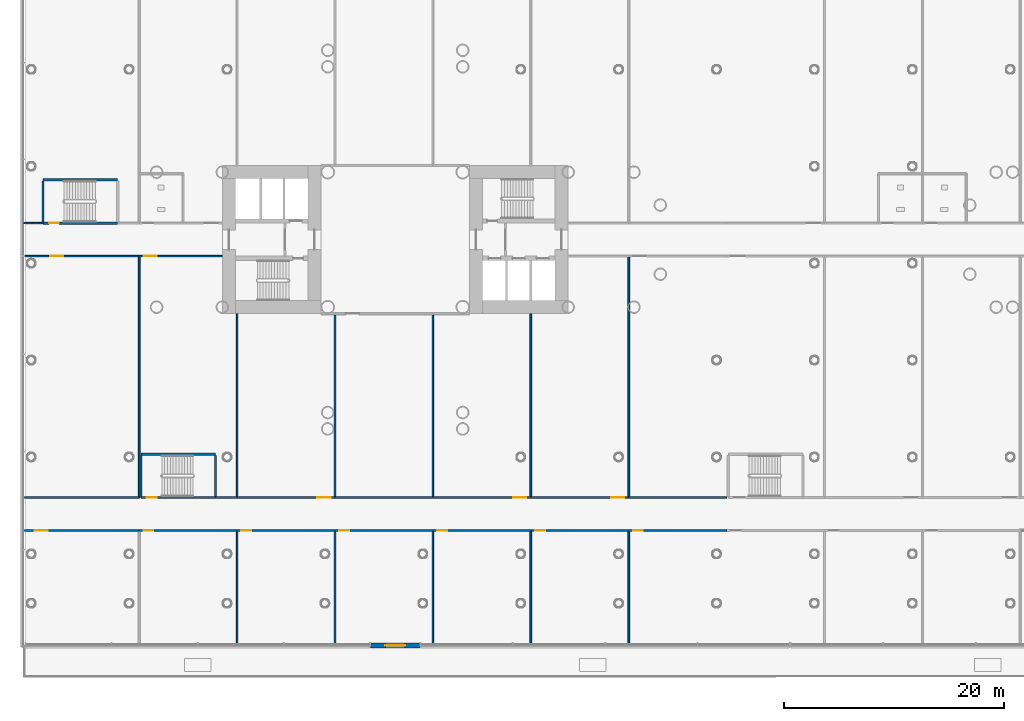
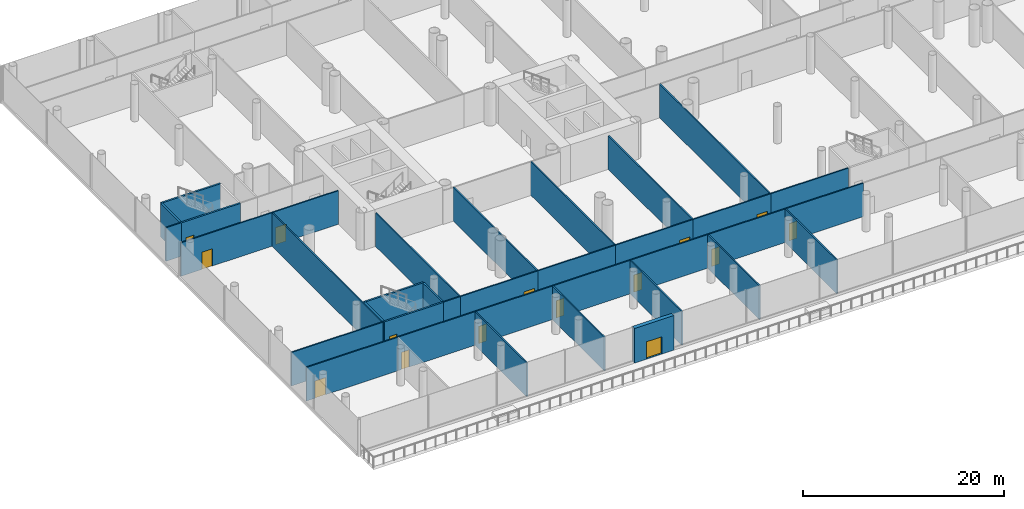
# One storey, part 17 of 49: 36 walls, 15 doors, 15 openings.
"""IFC4 building model written with IfcOpenShell, lengths in metres."""

from ifc_helpers import new_model, si_unit, direction, frame, frame_2d, origin, place, context, subcontext, project, spatial, rectangle, extrude, material, layer, layer_set, type_object, element, fill, save


model = new_model("IFC4")

# Units and contexts
model_context = context("Model", 3, precision=1e-05, world=origin(), true_north=direction((0.0, 1.0)))
body_context = subcontext(model_context, "Body", "Model", "MODEL_VIEW")
ifc_project = project(units=[si_unit("LENGTHUNIT", "METRE"), si_unit("AREAUNIT", "SQUARE_METRE"), si_unit("VOLUMEUNIT", "CUBIC_METRE"), si_unit("PLANEANGLEUNIT", "RADIAN"), si_unit("MASSUNIT", "GRAM", prefix="KILO")], contexts=[model_context])

# Site, building, storey
site_placement = place(None, origin())
site = spatial("IfcSite", under=ifc_project, at=site_placement, CompositionType="ELEMENT")
building_placement = place(site_placement, origin())
building = spatial("IfcBuilding", under=site, at=building_placement, Name="Ipe Terrace Towers", CompositionType="ELEMENT")
storey_placement = place(building_placement, frame((0.0, 0.0, 11.0)))
storey = spatial("IfcBuildingStorey", under=building, at=storey_placement, Name="L02", CompositionType="ELEMENT", Elevation=11.0)

# Wall, opening, door
ifc_material_1 = material(Name="Gypsum board partition", Category="plasterboard")
ifc_layer_1 = layer(ifc_material_1, 0.14990234375)
ifc_layer_set_1 = layer_set([ifc_layer_1], Name="Gypsum board partition 150 mm")
wall_type_1 = type_object("IfcWallType", Name="Gypsum board partition 150 mm", PredefinedType="PARTITIONING", material=ifc_layer_set_1)
wall_1_placement = place(storey_placement, frame((-69.85009765625, -26.5, 0.0), z_axis=(0.0, 0.0, 1.0), x_axis=(1.0, 0.0, 0.0)))
wall_1 = element("IfcWall", 1, at=wall_1_placement, inside=storey, type_object=wall_type_1, Name="Gypsum board partition T1 L02 pd-r0-w0", PredefinedType="PARTITIONING", context=body_context, shape_type="SweptSolid", body=[
    extrude(rectangle(XDim=10.52001953125, YDim=0.14990234375, at=frame_2d((5.260009765625, 0.0))), origin(), (0.0, 0.0, 1.0), 4.080078125),
])
opening_1_placement = place(wall_1_placement, frame((1.0, 0.0, 0.0)))
opening_1 = element("IfcOpeningElement", 2, at=opening_1_placement, cuts=wall_1, Name="Opening PD-L02-r0", PredefinedType="OPENING", context=body_context, shape_type="SweptSolid", body=[
    extrude(rectangle(XDim=1.199951171875, YDim=2.10009765625, at=frame_2d((0.60009765625, 1.050048828125))), frame((0.0, 0.0849609375, 0.0), z_axis=(0.0, -1.0, 0.0), x_axis=(1.0, 0.0, 0.0)), (0.0, 0.0, 1.0), 0.169921875),
])
ifc_material_2 = material(Name="Fire-rated timber door leaf", Category="wood")
door_type_1 = type_object("IfcDoorType", Name="Lounge door 1200 x 2100 FD30S", OperationType="NOTDEFINED", PredefinedType="DOOR", material=ifc_material_2)
door_1_placement = place(opening_1_placement, origin())
door_1 = element("IfcDoor", 3, at=door_1_placement, inside=storey, type_object=door_type_1, Name="Lounge door PD-L02-r0", OperationType="SINGLE_SWING_RIGHT", OverallHeight=2.10009765625, OverallWidth=1.199951171875, PredefinedType="DOOR", context=body_context, shape_type="SweptSolid", body=[
    extrude(rectangle(XDim=1.199951171875, YDim=2.10009765625, at=frame_2d((0.60009765625, 1.050048828125))), frame((0.0, 0.02490234375, 0.0), z_axis=(0.0, -1.0, 0.0), x_axis=(1.0, 0.0, 0.0)), (0.0, 0.0, 1.0), 0.050048828125),
])
fill(opening_1, door_1)

wall_2_placement = place(storey_placement, frame((-69.85009765625, -1.5, 0.0), z_axis=(0.0, 0.0, 1.0), x_axis=(1.0, 0.0, 0.0)))
wall_2 = element("IfcWall", 4, at=wall_2_placement, inside=storey, type_object=wall_type_1, Name="Gypsum board partition T1 L02 pd-r1-w2", PredefinedType="PARTITIONING", context=body_context, shape_type="SweptSolid", body=[
    extrude(rectangle(XDim=10.52001953125, YDim=0.14990234375, at=frame_2d((5.260009765625, 0.0))), origin(), (0.0, 0.0, 1.0), 4.080078125),
])
opening_2_placement = place(wall_2_placement, frame((2.39990234375, 0.0, 0.0)))
opening_2 = element("IfcOpeningElement", 5, at=opening_2_placement, cuts=wall_2, Name="Opening PD-L02-r1", PredefinedType="OPENING", context=body_context, shape_type="SweptSolid", body=[
    extrude(rectangle(XDim=1.199951171875, YDim=2.10009765625, at=frame_2d((0.60009765625, 1.050048828125))), frame((0.0, 0.0849609375, 0.0), z_axis=(0.0, -1.0, 0.0), x_axis=(1.0, 0.0, 0.0)), (0.0, 0.0, 1.0), 0.169921875),
])
door_2_placement = place(opening_2_placement, origin())
door_2 = element("IfcDoor", 6, at=door_2_placement, inside=storey, type_object=door_type_1, Name="Lounge door PD-L02-r1", OperationType="SINGLE_SWING_RIGHT", OverallHeight=2.10009765625, OverallWidth=1.199951171875, PredefinedType="DOOR", context=body_context, shape_type="SweptSolid", body=[
    extrude(rectangle(XDim=1.199951171875, YDim=2.10009765625, at=frame_2d((0.60009765625, 1.050048828125))), frame((0.0, 0.02490234375, 0.0), z_axis=(0.0, -1.0, 0.0), x_axis=(1.0, 0.0, 0.0)), (0.0, 0.0, 1.0), 0.050048828125),
])
fill(opening_2, door_2)

# Walls
wall_3_placement = place(storey_placement, frame((-59.330078125, -23.5, 0.0), z_axis=(0.0, 0.0, 1.0), x_axis=(-1.0, 0.0, 0.0)))
element("IfcWall", 7, at=wall_3_placement, inside=storey, type_object=wall_type_1, Name="Gypsum board partition T1 L02 pd-r1-w3", PredefinedType="PARTITIONING", context=body_context, shape_type="SweptSolid", body=[
    extrude(rectangle(XDim=10.52001953125, YDim=0.14990234375, at=frame_2d((5.260009765625, 0.0))), origin(), (0.0, 0.0, 1.0), 4.080078125),
])
wall_4_placement = place(storey_placement, frame((-59.330078125, -1.5, 0.0), z_axis=(0.0, 0.0, 1.0), x_axis=(0.0, -1.0, 0.0)))
element("IfcWall", 8, at=wall_4_placement, inside=storey, type_object=wall_type_1, Name="Gypsum board partition T1 L02 pd-r1-r5-w4", PredefinedType="PARTITIONING", context=body_context, shape_type="SweptSolid", body=[
    extrude(rectangle(XDim=22.0, YDim=0.14990234375, at=frame_2d((11.0, 0.0))), origin(), (0.0, 0.0, 1.0), 4.080078125),
])
wall_5_placement = place(storey_placement, frame((-68.090087890625, 1.5, 0.0), z_axis=(0.0, 0.0, 1.0), x_axis=(-1.0, 0.0, 0.0)))
element("IfcWall", 9, at=wall_5_placement, inside=storey, type_object=wall_type_1, Name="Gypsum board partition T1 L02 pd-r2-w6", PredefinedType="PARTITIONING", context=body_context, shape_type="SweptSolid", body=[
    extrude(rectangle(XDim=1.760009765625, YDim=0.14990234375, at=frame_2d((0.8798828125, 0.0))), origin(), (0.0, 0.0, 1.0), 4.080078125),
])

# Wall, opening, door
wall_6_placement = place(storey_placement, frame((-59.330078125, -26.5, 0.0), z_axis=(0.0, 0.0, 1.0), x_axis=(1.0, 0.0, 0.0)))
wall_6 = element("IfcWall", 10, at=wall_6_placement, inside=storey, type_object=wall_type_1, Name="Gypsum board partition T1 L02 pd-r4-w11", PredefinedType="PARTITIONING", context=body_context, shape_type="SweptSolid", body=[
    extrude(rectangle(XDim=8.920166015625, YDim=0.14990234375, at=frame_2d((4.4599609375, 0.0))), origin(), (0.0, 0.0, 1.0), 4.080078125),
])
opening_3_placement = place(wall_6_placement, frame((0.39990234375, 0.0, 0.0)))
opening_3 = element("IfcOpeningElement", 11, at=opening_3_placement, cuts=wall_6, Name="Opening PD-L02-r4", PredefinedType="OPENING", context=body_context, shape_type="SweptSolid", body=[
    extrude(rectangle(XDim=0.89990234375, YDim=2.10009765625, at=frame_2d((0.449951171875, 1.050048828125))), frame((0.0, 0.0849609375, 0.0), z_axis=(0.0, -1.0, 0.0), x_axis=(1.0, 0.0, 0.0)), (0.0, 0.0, 1.0), 0.169921875),
])
ifc_material_3 = material(Name="Fire-rated timber door leaf", Category="wood")
door_type_2 = type_object("IfcDoorType", Name="Lounge door 900 x 2100 FD30S", OperationType="NOTDEFINED", PredefinedType="DOOR", material=ifc_material_3)
door_3_placement = place(opening_3_placement, origin())
door_3 = element("IfcDoor", 12, at=door_3_placement, inside=storey, type_object=door_type_2, Name="Lounge door PD-L02-r4", OperationType="SINGLE_SWING_RIGHT", OverallHeight=2.10009765625, OverallWidth=0.89990234375, PredefinedType="DOOR", context=body_context, shape_type="SweptSolid", body=[
    extrude(rectangle(XDim=0.89990234375, YDim=2.10009765625, at=frame_2d((0.449951171875, 1.050048828125))), frame((0.0, 0.02490234375, 0.0), z_axis=(0.0, -1.0, 0.0), x_axis=(1.0, 0.0, 0.0)), (0.0, 0.0, 1.0), 0.050048828125),
])
fill(opening_3, door_3)

# Wall
wall_7_placement = place(storey_placement, frame((-50.409912109375, -26.5, 0.0), z_axis=(0.0, 0.0, 1.0), x_axis=(0.0, -1.0, 0.0)))
element("IfcWall", 13, at=wall_7_placement, inside=storey, type_object=wall_type_1, Name="Gypsum board partition T1 L02 pd-r4-r8-w12", PredefinedType="PARTITIONING", context=body_context, shape_type="SweptSolid", body=[
    extrude(rectangle(XDim=10.35009765625, YDim=0.14990234375, at=frame_2d((5.175048828125, 0.0))), origin(), (0.0, 0.0, 1.0), 4.080078125),
])

# Wall, opening, door
wall_8_placement = place(storey_placement, frame((-59.330078125, -1.5, 0.0), z_axis=(0.0, 0.0, 1.0), x_axis=(1.0, 0.0, 0.0)))
wall_8 = element("IfcWall", 14, at=wall_8_placement, inside=storey, type_object=wall_type_1, Name="Gypsum board partition T1 L02 pd-r5-w13", PredefinedType="PARTITIONING", context=body_context, shape_type="SweptSolid", body=[
    extrude(rectangle(XDim=7.580078125, YDim=0.14990234375, at=frame_2d((3.7900390625, 0.0))), origin(), (0.0, 0.0, 1.0), 4.080078125),
])
opening_4_placement = place(wall_8_placement, frame((0.39990234375, 0.0, 0.0)))
opening_4 = element("IfcOpeningElement", 15, at=opening_4_placement, cuts=wall_8, Name="Opening PD-L02-r5", PredefinedType="OPENING", context=body_context, shape_type="SweptSolid", body=[
    extrude(rectangle(XDim=1.199951171875, YDim=2.10009765625, at=frame_2d((0.60009765625, 1.050048828125))), frame((0.0, 0.0849609375, 0.0), z_axis=(0.0, -1.0, 0.0), x_axis=(1.0, 0.0, 0.0)), (0.0, 0.0, 1.0), 0.169921875),
])
door_4_placement = place(opening_4_placement, origin())
door_4 = element("IfcDoor", 16, at=door_4_placement, inside=storey, type_object=door_type_1, Name="Lounge door PD-L02-r5", OperationType="SINGLE_SWING_RIGHT", OverallHeight=2.10009765625, OverallWidth=1.199951171875, PredefinedType="DOOR", context=body_context, shape_type="SweptSolid", body=[
    extrude(rectangle(XDim=1.199951171875, YDim=2.10009765625, at=frame_2d((0.60009765625, 1.050048828125))), frame((0.0, 0.02490234375, 0.0), z_axis=(0.0, -1.0, 0.0), x_axis=(1.0, 0.0, 0.0)), (0.0, 0.0, 1.0), 0.050048828125),
])
fill(opening_4, door_4)

# Walls
wall_9_placement = place(storey_placement, frame((-50.409912109375, -23.5, 0.0), z_axis=(0.0, 0.0, 1.0), x_axis=(-1.0, 0.0, 0.0)))
element("IfcWall", 17, at=wall_9_placement, inside=storey, type_object=wall_type_1, Name="Gypsum board partition T1 L02 pd-r5-w14", PredefinedType="PARTITIONING", context=body_context, shape_type="SweptSolid", body=[
    extrude(rectangle(XDim=1.960205078125, YDim=0.14990234375, at=frame_2d((0.97998046875, 0.0))), origin(), (0.0, 0.0, 1.0), 4.080078125),
])
wall_10_placement = place(storey_placement, frame((-50.409912109375, -6.75, 0.0), z_axis=(0.0, 0.0, 1.0), x_axis=(0.0, -1.0, 0.0)))
element("IfcWall", 18, at=wall_10_placement, inside=storey, type_object=wall_type_1, Name="Gypsum board partition T1 L02 pd-r5-r9-w15", PredefinedType="PARTITIONING", context=body_context, shape_type="SweptSolid", body=[
    extrude(rectangle(XDim=16.75, YDim=0.14990234375, at=frame_2d((8.375, 0.0))), origin(), (0.0, 0.0, 1.0), 4.080078125),
])

# Wall, opening, door
wall_11_placement = place(storey_placement, frame((-50.409912109375, -26.5, 0.0), z_axis=(0.0, 0.0, 1.0), x_axis=(1.0, 0.0, 0.0)))
wall_11 = element("IfcWall", 19, at=wall_11_placement, inside=storey, type_object=wall_type_1, Name="Gypsum board partition T1 L02 pd-r8-w19", PredefinedType="PARTITIONING", context=body_context, shape_type="SweptSolid", body=[
    extrude(rectangle(XDim=8.919921875, YDim=0.14990234375, at=frame_2d((4.4599609375, 0.0))), origin(), (0.0, 0.0, 1.0), 4.080078125),
])
opening_5_placement = place(wall_11_placement, frame((0.39990234375, 0.0, 0.0)))
opening_5 = element("IfcOpeningElement", 20, at=opening_5_placement, cuts=wall_11, Name="Opening PD-L02-r8", PredefinedType="OPENING", context=body_context, shape_type="SweptSolid", body=[
    extrude(rectangle(XDim=0.89990234375, YDim=2.10009765625, at=frame_2d((0.449951171875, 1.050048828125))), frame((0.0, 0.0849609375, 0.0), z_axis=(0.0, -1.0, 0.0), x_axis=(1.0, 0.0, 0.0)), (0.0, 0.0, 1.0), 0.169921875),
])
door_5_placement = place(opening_5_placement, origin())
door_5 = element("IfcDoor", 21, at=door_5_placement, inside=storey, type_object=door_type_2, Name="Lounge door PD-L02-r8", OperationType="SINGLE_SWING_RIGHT", OverallHeight=2.10009765625, OverallWidth=0.89990234375, PredefinedType="DOOR", context=body_context, shape_type="SweptSolid", body=[
    extrude(rectangle(XDim=0.89990234375, YDim=2.10009765625, at=frame_2d((0.449951171875, 1.050048828125))), frame((0.0, 0.02490234375, 0.0), z_axis=(0.0, -1.0, 0.0), x_axis=(1.0, 0.0, 0.0)), (0.0, 0.0, 1.0), 0.050048828125),
])
fill(opening_5, door_5)

wall_12_placement = place(storey_placement, frame((-41.489990234375, -23.5, 0.0), z_axis=(0.0, 0.0, 1.0), x_axis=(-1.0, 0.0, 0.0)))
wall_12 = element("IfcWall", 22, at=wall_12_placement, inside=storey, type_object=wall_type_1, Name="Gypsum board partition T1 L02 pd-r9-w21", PredefinedType="PARTITIONING", context=body_context, shape_type="SweptSolid", body=[
    extrude(rectangle(XDim=8.919921875, YDim=0.14990234375, at=frame_2d((4.4599609375, 0.0))), origin(), (0.0, 0.0, 1.0), 4.080078125),
])
opening_6_placement = place(wall_12_placement, frame((0.39990234375, 0.0, 0.0)))
opening_6 = element("IfcOpeningElement", 23, at=opening_6_placement, cuts=wall_12, Name="Opening PD-L02-r9", PredefinedType="OPENING", context=body_context, shape_type="SweptSolid", body=[
    extrude(rectangle(XDim=1.199951171875, YDim=2.10009765625, at=frame_2d((0.60009765625, 1.050048828125))), frame((0.0, 0.0849609375, 0.0), z_axis=(0.0, -1.0, 0.0), x_axis=(1.0, 0.0, 0.0)), (0.0, 0.0, 1.0), 0.169921875),
])
door_6_placement = place(opening_6_placement, origin())
door_6 = element("IfcDoor", 24, at=door_6_placement, inside=storey, type_object=door_type_1, Name="Lounge door PD-L02-r9", OperationType="SINGLE_SWING_RIGHT", OverallHeight=2.10009765625, OverallWidth=1.199951171875, PredefinedType="DOOR", context=body_context, shape_type="SweptSolid", body=[
    extrude(rectangle(XDim=1.199951171875, YDim=2.10009765625, at=frame_2d((0.60009765625, 1.050048828125))), frame((0.0, 0.02490234375, 0.0), z_axis=(0.0, -1.0, 0.0), x_axis=(1.0, 0.0, 0.0)), (0.0, 0.0, 1.0), 0.050048828125),
])
fill(opening_6, door_6)

wall_13_placement = place(storey_placement, frame((-41.489990234375, -26.5, 0.0), z_axis=(0.0, 0.0, 1.0), x_axis=(1.0, 0.0, 0.0)))
wall_13 = element("IfcWall", 25, at=wall_13_placement, inside=storey, type_object=wall_type_1, Name="Gypsum board partition T1 L02 pd-r12-w29", PredefinedType="PARTITIONING", context=body_context, shape_type="SweptSolid", body=[
    extrude(rectangle(XDim=8.919921875, YDim=0.14990234375, at=frame_2d((4.4599609375, 0.0))), origin(), (0.0, 0.0, 1.0), 4.080078125),
])
opening_7_placement = place(wall_13_placement, frame((0.39990234375, 0.0, 0.0)))
opening_7 = element("IfcOpeningElement", 26, at=opening_7_placement, cuts=wall_13, Name="Opening PD-L02-r12", PredefinedType="OPENING", context=body_context, shape_type="SweptSolid", body=[
    extrude(rectangle(XDim=0.89990234375, YDim=2.10009765625, at=frame_2d((0.449951171875, 1.050048828125))), frame((0.0, 0.0849609375, 0.0), z_axis=(0.0, -1.0, 0.0), x_axis=(1.0, 0.0, 0.0)), (0.0, 0.0, 1.0), 0.169921875),
])
door_7_placement = place(opening_7_placement, origin())
door_7 = element("IfcDoor", 27, at=door_7_placement, inside=storey, type_object=door_type_2, Name="Lounge door PD-L02-r12", OperationType="SINGLE_SWING_RIGHT", OverallHeight=2.10009765625, OverallWidth=0.89990234375, PredefinedType="DOOR", context=body_context, shape_type="SweptSolid", body=[
    extrude(rectangle(XDim=0.89990234375, YDim=2.10009765625, at=frame_2d((0.449951171875, 1.050048828125))), frame((0.0, 0.02490234375, 0.0), z_axis=(0.0, -1.0, 0.0), x_axis=(1.0, 0.0, 0.0)), (0.0, 0.0, 1.0), 0.050048828125),
])
fill(opening_7, door_7)

# Walls
for number, where, z_axis, x_axis, name in (
    (28, (-41.489990234375, -36.85009765625, 0.0), (0.0, 0.0, 1.0), (0.0, 1.0, 0.0), "Gypsum board partition T1 L02 pd-r12-r8-w30"),
    (29, (-32.570068359375, -26.5, 0.0), (0.0, 0.0, 1.0), (0.0, -1.0, 0.0), "Gypsum board partition T1 L02 pd-r12-r16-w31"),
):
    element("IfcWall", number, at=place(storey_placement, frame(where, z_axis=z_axis, x_axis=x_axis)), inside=storey, type_object=wall_type_1, Name=name, PredefinedType="PARTITIONING", context=body_context, shape_type="SweptSolid", body=[
        extrude(rectangle(XDim=10.35009765625, YDim=0.14990234375, at=frame_2d((5.175048828125, 0.0))), origin(), (0.0, 0.0, 1.0), 4.080078125),
    ])
wall_14_placement = place(storey_placement, frame((-32.570068359375, -23.5, 0.0), z_axis=(0.0, 0.0, 1.0), x_axis=(-1.0, 0.0, 0.0)))
element("IfcWall", 30, at=wall_14_placement, inside=storey, type_object=wall_type_1, Name="Gypsum board partition T1 L02 pd-r13-w33", PredefinedType="PARTITIONING", context=body_context, shape_type="SweptSolid", body=[
    extrude(rectangle(XDim=8.919921875, YDim=0.14990234375, at=frame_2d((4.4599609375, 0.0))), origin(), (0.0, 0.0, 1.0), 4.080078125),
])
for number, where, z_axis, x_axis, name in (
    (31, (-41.489990234375, -23.5, 0.0), (0.0, 0.0, 1.0), (0.0, 1.0, 0.0), "Gypsum board partition T1 L02 pd-r13-r9-w34"),
    (32, (-32.570068359375, -6.75, 0.0), (0.0, 0.0, 1.0), (0.0, -1.0, 0.0), "Gypsum board partition T1 L02 pd-r13-r17-w35"),
):
    element("IfcWall", number, at=place(storey_placement, frame(where, z_axis=z_axis, x_axis=x_axis)), inside=storey, type_object=wall_type_1, Name=name, PredefinedType="PARTITIONING", context=body_context, shape_type="SweptSolid", body=[
        extrude(rectangle(XDim=16.75, YDim=0.14990234375, at=frame_2d((8.375, 0.0))), origin(), (0.0, 0.0, 1.0), 4.080078125),
    ])

# Wall, opening, door
wall_15_placement = place(storey_placement, frame((-32.570068359375, -26.5, 0.0), z_axis=(0.0, 0.0, 1.0), x_axis=(1.0, 0.0, 0.0)))
wall_15 = element("IfcWall", 33, at=wall_15_placement, inside=storey, type_object=wall_type_1, Name="Gypsum board partition T1 L02 pd-r16-w41", PredefinedType="PARTITIONING", context=body_context, shape_type="SweptSolid", body=[
    extrude(rectangle(XDim=8.920166015625, YDim=0.14990234375, at=frame_2d((4.4599609375, 0.0))), origin(), (0.0, 0.0, 1.0), 4.080078125),
])
opening_8_placement = place(wall_15_placement, frame((0.39990234375, 0.0, 0.0)))
opening_8 = element("IfcOpeningElement", 34, at=opening_8_placement, cuts=wall_15, Name="Opening PD-L02-r16", PredefinedType="OPENING", context=body_context, shape_type="SweptSolid", body=[
    extrude(rectangle(XDim=0.89990234375, YDim=2.10009765625, at=frame_2d((0.449951171875, 1.050048828125))), frame((0.0, 0.0849609375, 0.0), z_axis=(0.0, -1.0, 0.0), x_axis=(1.0, 0.0, 0.0)), (0.0, 0.0, 1.0), 0.169921875),
])
door_8_placement = place(opening_8_placement, origin())
door_8 = element("IfcDoor", 35, at=door_8_placement, inside=storey, type_object=door_type_2, Name="Lounge door PD-L02-r16", OperationType="SINGLE_SWING_RIGHT", OverallHeight=2.10009765625, OverallWidth=0.89990234375, PredefinedType="DOOR", context=body_context, shape_type="SweptSolid", body=[
    extrude(rectangle(XDim=0.89990234375, YDim=2.10009765625, at=frame_2d((0.449951171875, 1.050048828125))), frame((0.0, 0.02490234375, 0.0), z_axis=(0.0, -1.0, 0.0), x_axis=(1.0, 0.0, 0.0)), (0.0, 0.0, 1.0), 0.050048828125),
])
fill(opening_8, door_8)

# Wall
wall_16_placement = place(storey_placement, frame((-23.64990234375, -26.5, 0.0), z_axis=(0.0, 0.0, 1.0), x_axis=(0.0, -1.0, 0.0)))
element("IfcWall", 36, at=wall_16_placement, inside=storey, type_object=wall_type_1, Name="Gypsum board partition T1 L02 pd-r16-r20-w42", PredefinedType="PARTITIONING", context=body_context, shape_type="SweptSolid", body=[
    extrude(rectangle(XDim=10.35009765625, YDim=0.14990234375, at=frame_2d((5.175048828125, 0.0))), origin(), (0.0, 0.0, 1.0), 4.080078125),
])

# Wall, opening, door
wall_17_placement = place(storey_placement, frame((-23.64990234375, -23.5, 0.0), z_axis=(0.0, 0.0, 1.0), x_axis=(-1.0, 0.0, 0.0)))
wall_17 = element("IfcWall", 37, at=wall_17_placement, inside=storey, type_object=wall_type_1, Name="Gypsum board partition T1 L02 pd-r17-w44", PredefinedType="PARTITIONING", context=body_context, shape_type="SweptSolid", body=[
    extrude(rectangle(XDim=8.920166015625, YDim=0.14990234375, at=frame_2d((4.4599609375, 0.0))), origin(), (0.0, 0.0, 1.0), 4.080078125),
])
opening_9_placement = place(wall_17_placement, frame((0.39990234375, 0.0, 0.0)))
opening_9 = element("IfcOpeningElement", 38, at=opening_9_placement, cuts=wall_17, Name="Opening PD-L02-r17", PredefinedType="OPENING", context=body_context, shape_type="SweptSolid", body=[
    extrude(rectangle(XDim=1.199951171875, YDim=2.10009765625, at=frame_2d((0.60009765625, 1.050048828125))), frame((0.0, 0.0849609375, 0.0), z_axis=(0.0, -1.0, 0.0), x_axis=(1.0, 0.0, 0.0)), (0.0, 0.0, 1.0), 0.169921875),
])
door_9_placement = place(opening_9_placement, origin())
door_9 = element("IfcDoor", 39, at=door_9_placement, inside=storey, type_object=door_type_1, Name="Lounge door PD-L02-r17", OperationType="SINGLE_SWING_RIGHT", OverallHeight=2.10009765625, OverallWidth=1.199951171875, PredefinedType="DOOR", context=body_context, shape_type="SweptSolid", body=[
    extrude(rectangle(XDim=1.199951171875, YDim=2.10009765625, at=frame_2d((0.60009765625, 1.050048828125))), frame((0.0, 0.02490234375, 0.0), z_axis=(0.0, -1.0, 0.0), x_axis=(1.0, 0.0, 0.0)), (0.0, 0.0, 1.0), 0.050048828125),
])
fill(opening_9, door_9)

# Wall
wall_18_placement = place(storey_placement, frame((-23.64990234375, -6.75, 0.0), z_axis=(0.0, 0.0, 1.0), x_axis=(0.0, -1.0, 0.0)))
element("IfcWall", 40, at=wall_18_placement, inside=storey, type_object=wall_type_1, Name="Gypsum board partition T1 L02 pd-r17-r22-w45", PredefinedType="PARTITIONING", context=body_context, shape_type="SweptSolid", body=[
    extrude(rectangle(XDim=16.75, YDim=0.14990234375, at=frame_2d((8.375, 0.0))), origin(), (0.0, 0.0, 1.0), 4.080078125),
])

# Wall, opening, door
wall_19_placement = place(storey_placement, frame((-23.64990234375, -26.5, 0.0), z_axis=(0.0, 0.0, 1.0), x_axis=(1.0, 0.0, 0.0)))
wall_19 = element("IfcWall", 41, at=wall_19_placement, inside=storey, type_object=wall_type_1, Name="Gypsum board partition T1 L02 pd-r20-w51", PredefinedType="PARTITIONING", context=body_context, shape_type="SweptSolid", body=[
    extrude(rectangle(XDim=8.919921875, YDim=0.14990234375, at=frame_2d((4.4599609375, 0.0))), origin(), (0.0, 0.0, 1.0), 4.080078125),
])
opening_10_placement = place(wall_19_placement, frame((0.39990234375, 0.0, 0.0)))
opening_10 = element("IfcOpeningElement", 42, at=opening_10_placement, cuts=wall_19, Name="Opening PD-L02-r20", PredefinedType="OPENING", context=body_context, shape_type="SweptSolid", body=[
    extrude(rectangle(XDim=0.89990234375, YDim=2.10009765625, at=frame_2d((0.449951171875, 1.050048828125))), frame((0.0, 0.0849609375, 0.0), z_axis=(0.0, -1.0, 0.0), x_axis=(1.0, 0.0, 0.0)), (0.0, 0.0, 1.0), 0.169921875),
])
door_10_placement = place(opening_10_placement, origin())
door_10 = element("IfcDoor", 43, at=door_10_placement, inside=storey, type_object=door_type_2, Name="Lounge door PD-L02-r20", OperationType="SINGLE_SWING_RIGHT", OverallHeight=2.10009765625, OverallWidth=0.89990234375, PredefinedType="DOOR", context=body_context, shape_type="SweptSolid", body=[
    extrude(rectangle(XDim=0.89990234375, YDim=2.10009765625, at=frame_2d((0.449951171875, 1.050048828125))), frame((0.0, 0.02490234375, 0.0), z_axis=(0.0, -1.0, 0.0), x_axis=(1.0, 0.0, 0.0)), (0.0, 0.0, 1.0), 0.050048828125),
])
fill(opening_10, door_10)

# Wall
wall_20_placement = place(storey_placement, frame((-14.72998046875, -26.5, 0.0), z_axis=(0.0, 0.0, 1.0), x_axis=(0.0, -1.0, 0.0)))
element("IfcWall", 44, at=wall_20_placement, inside=storey, type_object=wall_type_1, Name="Gypsum board partition T1 L02 pd-r20-r24-w52", PredefinedType="PARTITIONING", context=body_context, shape_type="SweptSolid", body=[
    extrude(rectangle(XDim=10.35009765625, YDim=0.14990234375, at=frame_2d((5.175048828125, 0.0))), origin(), (0.0, 0.0, 1.0), 4.080078125),
])

# Wall, opening, door
wall_21_placement = place(storey_placement, frame((-14.72998046875, -23.5, 0.0), z_axis=(0.0, 0.0, 1.0), x_axis=(-1.0, 0.0, 0.0)))
wall_21 = element("IfcWall", 45, at=wall_21_placement, inside=storey, type_object=wall_type_1, Name="Gypsum board partition T1 L02 pd-r22-w56", PredefinedType="PARTITIONING", context=body_context, shape_type="SweptSolid", body=[
    extrude(rectangle(XDim=8.919921875, YDim=0.14990234375, at=frame_2d((4.4599609375, 0.0))), origin(), (0.0, 0.0, 1.0), 4.080078125),
])
opening_11_placement = place(wall_21_placement, frame((0.39990234375, 0.0, 0.0)))
opening_11 = element("IfcOpeningElement", 46, at=opening_11_placement, cuts=wall_21, Name="Opening PD-L02-r22", PredefinedType="OPENING", context=body_context, shape_type="SweptSolid", body=[
    extrude(rectangle(XDim=1.199951171875, YDim=2.10009765625, at=frame_2d((0.60009765625, 1.050048828125))), frame((0.0, 0.0849609375, 0.0), z_axis=(0.0, -1.0, 0.0), x_axis=(1.0, 0.0, 0.0)), (0.0, 0.0, 1.0), 0.169921875),
])
door_11_placement = place(opening_11_placement, origin())
door_11 = element("IfcDoor", 47, at=door_11_placement, inside=storey, type_object=door_type_1, Name="Lounge door PD-L02-r22", OperationType="SINGLE_SWING_RIGHT", OverallHeight=2.10009765625, OverallWidth=1.199951171875, PredefinedType="DOOR", context=body_context, shape_type="SweptSolid", body=[
    extrude(rectangle(XDim=1.199951171875, YDim=2.10009765625, at=frame_2d((0.60009765625, 1.050048828125))), frame((0.0, 0.02490234375, 0.0), z_axis=(0.0, -1.0, 0.0), x_axis=(1.0, 0.0, 0.0)), (0.0, 0.0, 1.0), 0.050048828125),
])
fill(opening_11, door_11)

# Wall
wall_22_placement = place(storey_placement, frame((-14.72998046875, -1.5, 0.0), z_axis=(0.0, 0.0, 1.0), x_axis=(0.0, -1.0, 0.0)))
element("IfcWall", 48, at=wall_22_placement, inside=storey, type_object=wall_type_1, Name="Gypsum board partition T1 L02 pd-r22-r25-w57", PredefinedType="PARTITIONING", context=body_context, shape_type="SweptSolid", body=[
    extrude(rectangle(XDim=22.0, YDim=0.14990234375, at=frame_2d((11.0, 0.0))), origin(), (0.0, 0.0, 1.0), 4.080078125),
])

# Wall, opening, door
wall_23_placement = place(storey_placement, frame((-14.72998046875, -26.5, 0.0), z_axis=(0.0, 0.0, 1.0), x_axis=(1.0, 0.0, 0.0)))
wall_23 = element("IfcWall", 49, at=wall_23_placement, inside=storey, type_object=wall_type_1, Name="Gypsum board partition T1 L02 pd-r24-w61", PredefinedType="PARTITIONING", context=body_context, shape_type="SweptSolid", body=[
    extrude(rectangle(XDim=8.919921875, YDim=0.14990234375, at=frame_2d((4.4599609375, 0.0))), origin(), (0.0, 0.0, 1.0), 4.080078125),
])
opening_12_placement = place(wall_23_placement, frame((0.39990234375, 0.0, 0.0)))
opening_12 = element("IfcOpeningElement", 50, at=opening_12_placement, cuts=wall_23, Name="Opening PD-L02-r24", PredefinedType="OPENING", context=body_context, shape_type="SweptSolid", body=[
    extrude(rectangle(XDim=0.89990234375, YDim=2.10009765625, at=frame_2d((0.449951171875, 1.050048828125))), frame((0.0, 0.0849609375, 0.0), z_axis=(0.0, -1.0, 0.0), x_axis=(1.0, 0.0, 0.0)), (0.0, 0.0, 1.0), 0.169921875),
])
door_12_placement = place(opening_12_placement, origin())
door_12 = element("IfcDoor", 51, at=door_12_placement, inside=storey, type_object=door_type_2, Name="Lounge door PD-L02-r24", OperationType="SINGLE_SWING_RIGHT", OverallHeight=2.10009765625, OverallWidth=0.89990234375, PredefinedType="DOOR", context=body_context, shape_type="SweptSolid", body=[
    extrude(rectangle(XDim=0.89990234375, YDim=2.10009765625, at=frame_2d((0.449951171875, 1.050048828125))), frame((0.0, 0.02490234375, 0.0), z_axis=(0.0, -1.0, 0.0), x_axis=(1.0, 0.0, 0.0)), (0.0, 0.0, 1.0), 0.050048828125),
])
fill(opening_12, door_12)

# Wall
wall_24_placement = place(storey_placement, frame((-5.81005859375, -23.5, 0.0), z_axis=(0.0, 0.0, 1.0), x_axis=(-1.0, 0.0, 0.0)))
element("IfcWall", 52, at=wall_24_placement, inside=storey, type_object=wall_type_1, Name="Gypsum board partition T1 L02 pd-r25-w63", PredefinedType="PARTITIONING", context=body_context, shape_type="SweptSolid", body=[
    extrude(rectangle(XDim=8.919921875, YDim=0.14990234375, at=frame_2d((4.4599609375, 0.0))), origin(), (0.0, 0.0, 1.0), 4.080078125),
])

# Wall, opening, door
ifc_material_4 = material(Name="Concrete C40/50 with buff precast cladding", Category="concrete")
ifc_layer_2 = layer(ifc_material_4, 0.43994140625)
ifc_layer_set_2 = layer_set([ifc_layer_2], Name="PODIUM CLADDING WALL 440")
wall_type_2 = type_object("IfcWallType", Name="PODIUM CLADDING WALL 440", PredefinedType="STANDARD", material=ifc_layer_set_2)
wall_25_placement = place(storey_placement, frame((-38.25, -36.969970703125, -0.02001953125), z_axis=(0.0, 0.0, 1.0), x_axis=(1.0, 0.0, 0.0)))
wall_25 = element("IfcWall", 53, at=wall_25_placement, inside=storey, type_object=wall_type_2, Name="POD-W-L02-03b wall", PredefinedType="STANDARD", context=body_context, shape_type="SweptSolid", body=[
    extrude(rectangle(XDim=4.5, YDim=0.43994140625, at=frame_2d((2.25, 0.0))), origin(), (0.0, 0.0, 1.0), 4.219970703125),
])
opening_13_placement = place(wall_25_placement, frame((1.35009765625, 0.0, 0.02001953125)))
opening_13 = element("IfcOpeningElement", 54, at=opening_13_placement, cuts=wall_25, Name="Opening POD-D-L02-01", PredefinedType="OPENING", context=body_context, shape_type="SweptSolid", body=[
    extrude(rectangle(XDim=1.800048828125, YDim=2.10009765625, at=frame_2d((0.89990234375, 1.050048828125))), frame((0.0, 0.22998046875, 0.0), z_axis=(0.0, -1.0, 0.0), x_axis=(1.0, 0.0, 0.0)), (0.0, 0.0, 1.0), 0.4599609375),
])
ifc_material_5 = material(Name="Aluminium alloy 6063-T6 framed glazed door", Category="aluminium")
door_type_3 = type_object("IfcDoorType", Name="PODIUM TERRACE DOOR 1800 x 2100", OperationType="DOUBLE_DOOR_SINGLE_SWING", PredefinedType="DOOR", material=ifc_material_5)
door_13_placement = place(opening_13_placement, origin())
door_13 = element("IfcDoor", 55, at=door_13_placement, inside=storey, type_object=door_type_3, Name="DT2 terrace door", OperationType="DOUBLE_DOOR_SINGLE_SWING", OverallHeight=2.10009765625, OverallWidth=1.800048828125, PredefinedType="DOOR", context=body_context, shape_type="SweptSolid", body=[
    extrude(rectangle(XDim=1.800048828125, YDim=2.10009765625, at=frame_2d((0.89990234375, 1.050048828125))), frame((0.0, 0.02490234375, 0.0), z_axis=(0.0, -1.0, 0.0), x_axis=(1.0, 0.0, 0.0)), (0.0, 0.0, 1.0), 0.050048828125),
])
fill(opening_13, door_13)

ifc_material_6 = material(Name="Concrete C40/50", Category="concrete")
ifc_layer_3 = layer(ifc_material_6, 0.199951171875)
ifc_layer_set_3 = layer_set([ifc_layer_3], Name="RW200 PODIUM STAIR SHAFT WALL 200 C40-50")
wall_type_3 = type_object("IfcWallType", Name="RW200 PODIUM STAIR SHAFT WALL 200 C40-50", PredefinedType="SHEAR", material=ifc_layer_set_3)
wall_26_placement = place(storey_placement, frame((-59.169921875, -23.5, 0.0), z_axis=(0.0, 0.0, 1.0), x_axis=(1.0, 0.0, 0.0)))
wall_26 = element("IfcWall", 56, at=wall_26_placement, inside=storey, type_object=wall_type_3, Name="Stair shaft wall T1 L02 ps4-c", PredefinedType="SHEAR", context=body_context, shape_type="SweptSolid", body=[
    extrude(rectangle(XDim=6.7998046875, YDim=0.199951171875, at=frame_2d((3.39990234375, 0.0))), origin(), (0.0, 0.0, 1.0), 4.080078125),
])
opening_14_placement = place(wall_26_placement, frame((0.550048828125, 0.0, 0.0)))
opening_14 = element("IfcOpeningElement", 57, at=opening_14_placement, cuts=wall_26, Name="Opening PS4-SD", PredefinedType="OPENING", context=body_context, shape_type="SweptSolid", body=[
    extrude(rectangle(XDim=0.89990234375, YDim=2.10009765625, at=frame_2d((0.449951171875, 1.050048828125))), frame((0.0, 0.10986328125, 0.0), z_axis=(0.0, -1.0, 0.0), x_axis=(1.0, 0.0, 0.0)), (0.0, 0.0, 1.0), 0.219970703125),
])
ifc_material_7 = material(Name="Fire-rated timber door leaf", Category="wood")
door_type_4 = type_object("IfcDoorType", Name="Stair door 900 x 2100 FD60", OperationType="NOTDEFINED", PredefinedType="DOOR", material=ifc_material_7)
door_14_placement = place(opening_14_placement, origin())
door_14 = element("IfcDoor", 58, at=door_14_placement, inside=storey, type_object=door_type_4, Name="Stair door PS4-SD", OperationType="SINGLE_SWING_RIGHT", OverallHeight=2.10009765625, OverallWidth=0.89990234375, PredefinedType="DOOR", context=body_context, shape_type="SweptSolid", body=[
    extrude(rectangle(XDim=0.89990234375, YDim=2.10009765625, at=frame_2d((0.449951171875, 1.050048828125))), frame((0.0, 0.02490234375, 0.0), z_axis=(0.0, -1.0, 0.0), x_axis=(1.0, 0.0, 0.0)), (0.0, 0.0, 1.0), 0.050048828125),
])
fill(opening_14, door_14)

# Walls
wall_27_placement = place(storey_placement, frame((-59.169921875, -19.550048828125, 0.0), z_axis=(0.0, 0.0, 1.0), x_axis=(1.0, 0.0, 0.0)))
element("IfcWall", 59, at=wall_27_placement, inside=storey, type_object=wall_type_3, Name="Stair shaft wall T1 L02 ps4-f", PredefinedType="SHEAR", context=body_context, shape_type="SweptSolid", body=[
    extrude(rectangle(XDim=6.7998046875, YDim=0.199951171875, at=frame_2d((3.39990234375, 0.0))), origin(), (0.0, 0.0, 1.0), 4.080078125),
])
for number, where, z_axis, x_axis, name in (
    (60, (-59.169921875, -23.39990234375, 0.0), (0.0, 0.0, 1.0), (0.0, 1.0, 0.0), "Stair shaft wall T1 L02 ps4-w"),
    (61, (-52.3701171875, -23.39990234375, 0.0), (0.0, 0.0, 1.0), (0.0, 1.0, 0.0), "Stair shaft wall T1 L02 ps4-e"),
):
    element("IfcWall", number, at=place(storey_placement, frame(where, z_axis=z_axis, x_axis=x_axis)), inside=storey, type_object=wall_type_3, Name=name, PredefinedType="SHEAR", context=body_context, shape_type="SweptSolid", body=[
        extrude(rectangle(XDim=3.75, YDim=0.199951171875, at=frame_2d((1.875, 0.0))), origin(), (0.0, 0.0, 1.0), 4.080078125),
    ])

# Wall, opening, door
wall_28_placement = place(storey_placement, frame((-68.090087890625, 1.5, 0.0), z_axis=(0.0, 0.0, 1.0), x_axis=(1.0, 0.0, 0.0)))
wall_28 = element("IfcWall", 62, at=wall_28_placement, inside=storey, type_object=wall_type_3, Name="Stair shaft wall T1 L02 ps7-c", PredefinedType="SHEAR", context=body_context, shape_type="SweptSolid", body=[
    extrude(rectangle(XDim=6.800048828125, YDim=0.199951171875, at=frame_2d((3.39990234375, 0.0))), origin(), (0.0, 0.0, 1.0), 4.080078125),
])
opening_15_placement = place(wall_28_placement, frame((0.550048828125, 0.0, 0.0)))
opening_15 = element("IfcOpeningElement", 63, at=opening_15_placement, cuts=wall_28, Name="Opening PS7-SD", PredefinedType="OPENING", context=body_context, shape_type="SweptSolid", body=[
    extrude(rectangle(XDim=0.89990234375, YDim=2.10009765625, at=frame_2d((0.449951171875, 1.050048828125))), frame((0.0, 0.10986328125, 0.0), z_axis=(0.0, -1.0, 0.0), x_axis=(1.0, 0.0, 0.0)), (0.0, 0.0, 1.0), 0.219970703125),
])
door_15_placement = place(opening_15_placement, origin())
door_15 = element("IfcDoor", 64, at=door_15_placement, inside=storey, type_object=door_type_4, Name="Stair door PS7-SD", OperationType="SINGLE_SWING_RIGHT", OverallHeight=2.10009765625, OverallWidth=0.89990234375, PredefinedType="DOOR", context=body_context, shape_type="SweptSolid", body=[
    extrude(rectangle(XDim=0.89990234375, YDim=2.10009765625, at=frame_2d((0.449951171875, 1.050048828125))), frame((0.0, 0.02490234375, 0.0), z_axis=(0.0, -1.0, 0.0), x_axis=(1.0, 0.0, 0.0)), (0.0, 0.0, 1.0), 0.050048828125),
])
fill(opening_15, door_15)

# Walls
wall_29_placement = place(storey_placement, frame((-68.090087890625, 5.449951171875, 0.0), z_axis=(0.0, 0.0, 1.0), x_axis=(1.0, 0.0, 0.0)))
element("IfcWall", 65, at=wall_29_placement, inside=storey, type_object=wall_type_3, Name="Stair shaft wall T1 L02 ps7-f", PredefinedType="SHEAR", context=body_context, shape_type="SweptSolid", body=[
    extrude(rectangle(XDim=6.800048828125, YDim=0.199951171875, at=frame_2d((3.39990234375, 0.0))), origin(), (0.0, 0.0, 1.0), 4.080078125),
])
wall_30_placement = place(storey_placement, frame((-68.090087890625, 1.60009765625, 0.0), z_axis=(0.0, 0.0, 1.0), x_axis=(0.0, 1.0, 0.0)))
element("IfcWall", 66, at=wall_30_placement, inside=storey, type_object=wall_type_3, Name="Stair shaft wall T1 L02 ps7-w", PredefinedType="SHEAR", context=body_context, shape_type="SweptSolid", body=[
    extrude(rectangle(XDim=3.75, YDim=0.199951171875, at=frame_2d((1.875, 0.0))), origin(), (0.0, 0.0, 1.0), 4.080078125),
])

save(model, "model.ifc")
